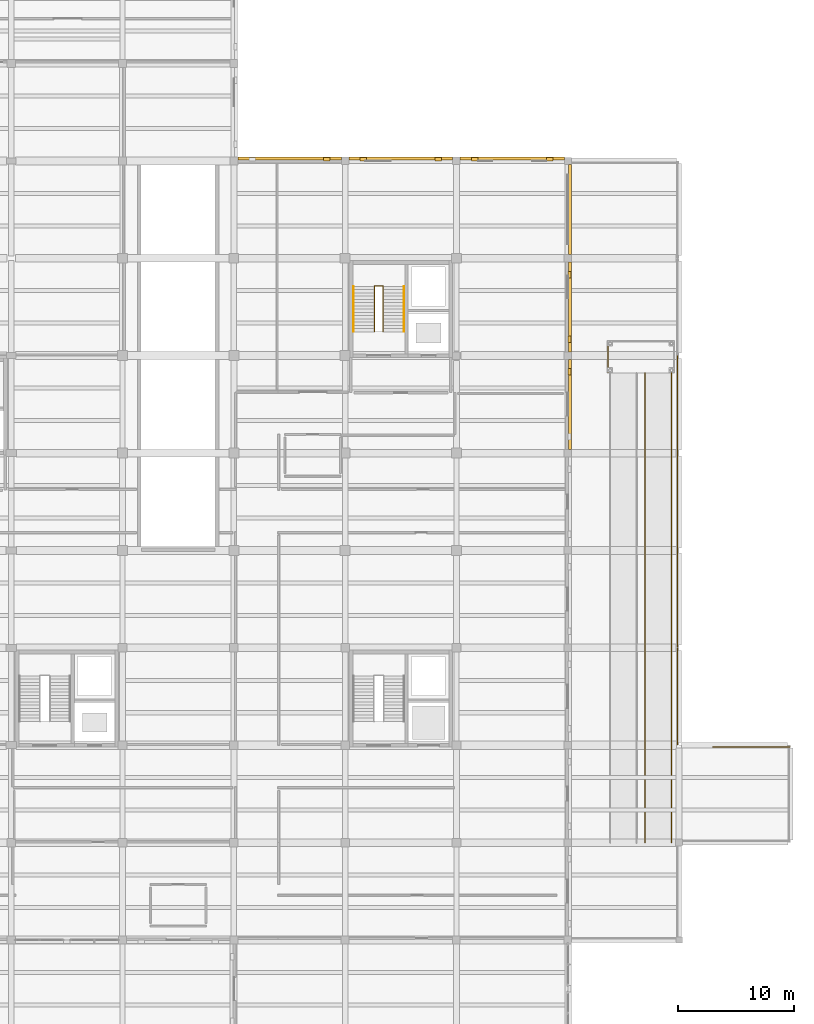
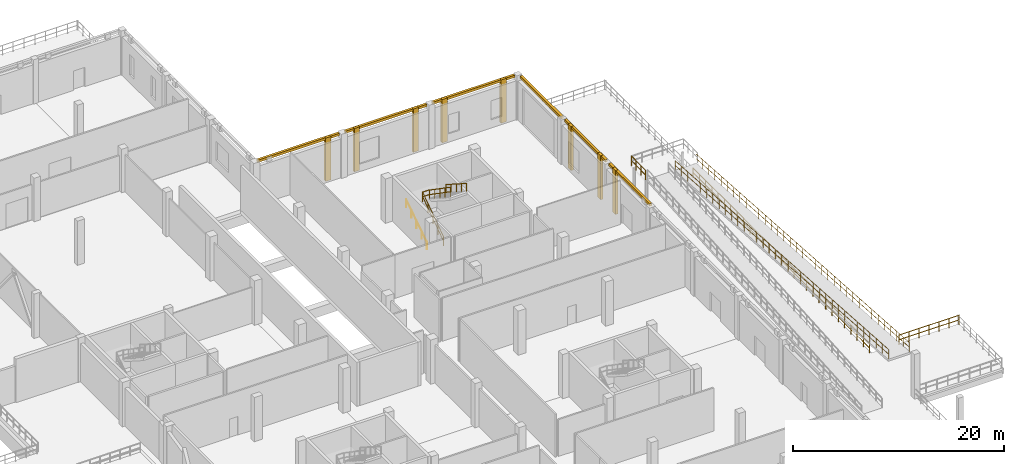
# One storey, part 69 of 71: 14 coverings, 13 railings.
"""IFC4 building model written with IfcOpenShell, lengths in metres."""

import ifcopenshell
import ifcopenshell.guid

model = None  # the IFC model being written
_history = None  # IfcOwnerHistory: only IFC2X3 demands one
_inside = {}  # id of a spatial element -> (the spatial element, [elements in it])
_under = {}  # id of a project, library or spatial element -> (it, [spatial elements below it])
_declared = {}  # id of a project -> (the project, [libraries it declares])
_typed = {}  # id of a type object -> (the type object, [elements of that type])
_made_of = {}  # id of a material, layer set ... -> (it, [elements and type objects made of it])


def new_model(schema):
    """Start an empty IFC model of exactly this schema.

    Asked for "IFC4X3", IfcOpenShell would pick the latest addendum, in which some entities
    have other attributes; the version numbers below select the first issue.
    IFC2X3 requires an IfcOwnerHistory on every rooted entity: one is made here for all.
    """
    global model, _history
    if schema == "IFC4X3":
        model = ifcopenshell.file(schema_version=(4, 3, 0, 0))
    else:
        model = ifcopenshell.file(schema=schema)
    _inside.clear()
    _under.clear()
    _declared.clear()
    _typed.clear()
    _made_of.clear()
    _history = None
    if model.schema == "IFC2X3":
        org = make("IfcOrganization", Name="unknown")
        user = make(
            "IfcPersonAndOrganization",
            ThePerson=make("IfcPerson", FamilyName="unknown"),
            TheOrganization=org,
        )
        app = make(
            "IfcApplication",
            ApplicationDeveloper=org,
            Version="unknown",
            ApplicationFullName="unknown",
            ApplicationIdentifier="unknown",
        )
        _history = make(
            "IfcOwnerHistory",
            OwningUser=user,
            OwningApplication=app,
            ChangeAction="ADDED",
            CreationDate=0,
        )
    return model


def make(cls, **values):
    """One entity of the class cls with the attributes given. An attribute that is None is left unset."""
    return model.create_entity(
        cls, **{name: value for name, value in values.items() if value is not None}
    )


def rooted(cls, **values):
    """An entity with a GlobalId (a new one), such as an element, a storey or a relation."""
    return make(cls, GlobalId=ifcopenshell.guid.new(), OwnerHistory=_history, **values)


def si_unit(unit_type, name, prefix=None):
    """IfcSIUnit, for example si_unit("LENGTHUNIT", "METRE", prefix="MILLI")."""
    return make("IfcSIUnit", UnitType=unit_type, Prefix=prefix, Name=name)


def assignment(units):
    """IfcUnitAssignment: the units of a project."""
    return None if units is None else make("IfcUnitAssignment", Units=units)


def point(xyz):
    """IfcCartesianPoint."""
    return None if xyz is None else make("IfcCartesianPoint", Coordinates=xyz)


def direction(xyz):
    """IfcDirection."""
    return None if xyz is None else make("IfcDirection", DirectionRatios=xyz)


def frame(location, z_axis=None, x_axis=None):
    """IfcAxis2Placement3D, a coordinate frame: its origin and axes. An axis left out is left unset."""
    return make(
        "IfcAxis2Placement3D",
        Location=point(location),
        Axis=direction(z_axis),
        RefDirection=direction(x_axis),
    )


def frame_2d(location, x_axis=None):
    """IfcAxis2Placement2D, a coordinate frame in the plane: its origin and x axis."""
    return make(
        "IfcAxis2Placement2D", Location=point(location), RefDirection=direction(x_axis)
    )


def origin():
    """The frame at (0, 0, 0) with its axes left unset."""
    return frame((0.0, 0.0, 0.0))


def origin_2d():
    """The frame at (0, 0) in the plane with its x axis left unset."""
    return frame_2d((0.0, 0.0))


def place(relative_to, where):
    """IfcLocalPlacement: puts the frame where relative to a parent placement (None: the world)."""
    return make(
        "IfcLocalPlacement", PlacementRelTo=relative_to, RelativePlacement=where
    )


def context(
    kind, dimensions, precision=None, world=None, true_north=None, identifier=None
):
    """IfcGeometricRepresentationContext, for example the 3D "Model" context."""
    return make(
        "IfcGeometricRepresentationContext",
        ContextIdentifier=identifier,
        ContextType=kind,
        CoordinateSpaceDimension=dimensions,
        Precision=precision,
        WorldCoordinateSystem=world,
        TrueNorth=true_north,
    )


def subcontext(parent, identifier, kind, view, scale=None):
    """IfcGeometricRepresentationSubContext, for example "Body" below "Model"."""
    return make(
        "IfcGeometricRepresentationSubContext",
        ContextIdentifier=identifier,
        ContextType=kind,
        ParentContext=parent,
        TargetScale=scale,
        TargetView=view,
    )


def project(units=None, contexts=None):
    """IfcProject with its units and contexts."""
    return rooted(
        "IfcProject",
        Name="project",
        RepresentationContexts=contexts,
        UnitsInContext=assignment(units),
    )


def spatial(cls, under=None, at=None, **own):
    """A site, building, storey or space (cls), placed at a placement, below another one or the project."""
    s = rooted(cls, ObjectPlacement=at, **own)
    if under is not None:
        _under.setdefault(under.id(), (under, []))[1].append(s)
    return s


def polyline(points):
    """IfcPolyline through the points."""
    return make("IfcPolyline", Points=[point(p) for p in points])


def profile(cls, at=None, kind="AREA", **sizes):
    """A parametric profile (cls). Its sizes go by their IFC names, for example OverallWidth=200.0."""
    return make(cls, ProfileType=kind, Position=at, **sizes)


def circle(**sizes):
    """IfcCircleProfileDef."""
    return profile("IfcCircleProfileDef", **sizes)


def outline(outer, holes=None, kind="AREA"):
    """IfcArbitraryClosedProfileDef: a profile drawn as a closed curve; with holes, ...WithVoids."""
    if holes is None:
        return make("IfcArbitraryClosedProfileDef", ProfileType=kind, OuterCurve=outer)
    return make(
        "IfcArbitraryProfileDefWithVoids",
        ProfileType=kind,
        OuterCurve=outer,
        InnerCurves=holes,
    )


def extrude(swept, where, along, depth):
    """IfcExtrudedAreaSolid: the profile swept, set in the frame where, extruded along a direction by depth."""
    return make(
        "IfcExtrudedAreaSolid",
        SweptArea=swept,
        Position=where,
        ExtrudedDirection=direction(along),
        Depth=depth,
    )


def shape(context_of_items, identifier, shape_type, items):
    """IfcShapeRepresentation: the items that make up one representation, for example the "Body"."""
    return make(
        "IfcShapeRepresentation",
        ContextOfItems=context_of_items,
        RepresentationIdentifier=identifier,
        RepresentationType=shape_type,
        Items=items,
    )


def material(Name=None, Category=None):
    """IfcMaterial."""
    return make("IfcMaterial", Name=Name, Category=Category)


def layer(
    of_material, thickness, ventilated=None, Name=None, Category=None, Priority=None
):
    """IfcMaterialLayer: one layer of a wall or slab, of a material (None: an air gap)."""
    return make(
        "IfcMaterialLayer",
        Material=of_material,
        LayerThickness=thickness,
        IsVentilated=ventilated,
        Name=Name,
        Category=Category,
        Priority=Priority,
    )


def layer_set(layers, Name=None):
    """IfcMaterialLayerSet."""
    return make("IfcMaterialLayerSet", MaterialLayers=layers, LayerSetName=Name)


def made_of(thing, what):
    """Note that an element or type object is made of a material, layer set ...; save() writes the relation."""
    if what is not None:
        _made_of.setdefault(what.id(), (what, []))[1].append(thing)
    return thing


def type_object(cls, material=None, **own):
    """A type object (cls), such as IfcWallType, which elements share."""
    return made_of(rooted(cls, **own), material)


def element(
    cls,
    number,
    at=None,
    inside=None,
    cuts=None,
    type_object=None,
    material=None,
    context=None,
    identifier="Body",
    shape_type=None,
    held_by="IfcProductDefinitionShape",
    body=None,
    shapes=None,
    **own,
):
    """One element of the class cls, such as IfcWall. Its Tag is "e" and its number.

    at: its placement. inside: the storey or other place that contains it. cuts: it is an
    opening in that element (IfcRelVoidsElement). A single representation is given by context,
    identifier, shape_type and body (its items); several are given by shapes. held_by: the class
    of the entity that holds the representations. save() writes the other relations.
    """
    e = rooted(cls, Tag="e%d" % number, ObjectPlacement=at, **own)
    if body is not None:
        shapes = [shape(context, identifier, shape_type, body)]
    if shapes is not None:
        e.Representation = make(held_by, Representations=shapes)
    if inside is not None:
        _inside.setdefault(inside.id(), (inside, []))[1].append(e)
    if cuts is not None:
        rooted(
            "IfcRelVoidsElement", RelatingBuildingElement=cuts, RelatedOpeningElement=e
        )
    if type_object is not None:
        _typed.setdefault(type_object.id(), (type_object, []))[1].append(e)
    return made_of(e, material)


def aggregate(whole, parts):
    """IfcRelAggregates: a whole, such as a stair, and the parts it consists of."""
    return rooted("IfcRelAggregates", RelatingObject=whole, RelatedObjects=parts)


def save(model, path):
    """Write the relations noted so far, then the file.

    IfcRelAggregates (storeys below a building ...), IfcRelContainedInSpatialStructure (elements
    in a storey), IfcRelDefinesByType, IfcRelAssociatesMaterial and IfcRelDeclares: one each for
    every whole, place, type object, material and project.
    """
    for whole, parts in _under.values():
        aggregate(whole, parts)
    for where, things in _inside.values():
        rooted(
            "IfcRelContainedInSpatialStructure",
            RelatedElements=things,
            RelatingStructure=where,
        )
    for kind, things in _typed.values():
        rooted("IfcRelDefinesByType", RelatedObjects=things, RelatingType=kind)
    for what, things in _made_of.values():
        rooted("IfcRelAssociatesMaterial", RelatedObjects=things, RelatingMaterial=what)
    for by, libraries in _declared.values():
        rooted("IfcRelDeclares", RelatingContext=by, RelatedDefinitions=libraries)
    model.write(path)


model = new_model("IFC4")

# Units and contexts
model_context = context("Model", 3, precision=1e-05, world=origin(), true_north=direction((0.0, 1.0)))
body_context = subcontext(model_context, "Body", "Model", "MODEL_VIEW")
ifc_project = project(units=[si_unit("LENGTHUNIT", "METRE"), si_unit("AREAUNIT", "SQUARE_METRE"), si_unit("VOLUMEUNIT", "CUBIC_METRE"), si_unit("PLANEANGLEUNIT", "RADIAN"), si_unit("MASSUNIT", "GRAM", prefix="KILO")], contexts=[model_context])

# Site, building, storey
site_placement = place(None, origin())
site = spatial("IfcSite", under=ifc_project, at=site_placement, CompositionType="ELEMENT")
building_placement = place(site_placement, origin())
building = spatial("IfcBuilding", under=site, at=building_placement, Name="Lornevale Opera House", CompositionType="ELEMENT")
storey_placement = place(building_placement, origin())
storey = spatial("IfcBuildingStorey", under=building, at=storey_placement, Name="L01", CompositionType="ELEMENT", Elevation=0.0)

# Coverings
ifc_material_1 = material(Name="Precast Concrete 40 MPa (CSA A23.1 C-1)", Category="concrete")
ifc_layer_1 = layer(ifc_material_1, 0.260009765625)
ifc_layer_set_1 = layer_set([ifc_layer_1], Name="Precast Concrete 40 MPa (CSA A23.1 C-1)")
covering_type_1 = type_object("IfcCoveringType", Name="Postmodern Sandstone Pilaster Rib", PredefinedType="CLADDING", material=ifc_layer_set_1)
covering_1_placement = place(storey_placement, origin())
element("IfcCovering", 1, at=covering_1_placement, inside=storey, type_object=covering_type_1, Name="Postmodern Sandstone Pilaster 0147", PredefinedType="CLADDING", context=body_context, shape_type="SweptSolid", body=[
    extrude(outline(polyline([(132.5458984375, 84.0), (133.10595703125, 84.0), (133.10595703125, 84.280029296875), (132.5458984375, 84.280029296875), (132.5458984375, 84.0)])), origin(), (0.0, 0.0, 1.0), 5.02001953125),
])
covering_2_placement = place(storey_placement, origin())
element("IfcCovering", 2, at=covering_2_placement, inside=storey, type_object=covering_type_1, Name="Postmodern Sandstone Pilaster 0152", PredefinedType="CLADDING", context=body_context, shape_type="SweptSolid", body=[
    extrude(outline(polyline([(135.697998046875, 84.0), (136.258056640625, 84.0), (136.258056640625, 84.280029296875), (135.697998046875, 84.280029296875), (135.697998046875, 84.0)])), origin(), (0.0, 0.0, 1.0), 5.02001953125),
])
covering_3_placement = place(storey_placement, origin())
element("IfcCovering", 3, at=covering_3_placement, inside=storey, type_object=covering_type_1, Name="Postmodern Sandstone Pilaster 0153", PredefinedType="CLADDING", context=body_context, shape_type="SweptSolid", body=[
    extrude(outline(polyline([(142.14208984375, 84.0), (142.701904296875, 84.0), (142.701904296875, 84.280029296875), (142.14208984375, 84.280029296875), (142.14208984375, 84.0)])), origin(), (0.0, 0.0, 1.0), 5.02001953125),
])
covering_4_placement = place(storey_placement, origin())
element("IfcCovering", 4, at=covering_4_placement, inside=storey, type_object=covering_type_1, Name="Postmodern Sandstone Pilaster 0175", PredefinedType="CLADDING", context=body_context, shape_type="SweptSolid", body=[
    extrude(outline(polyline([(153.60009765625, 66.070068359375), (153.60009765625, 65.510009765625), (153.8798828125, 65.510009765625), (153.8798828125, 66.070068359375), (153.60009765625, 66.070068359375)])), origin(), (0.0, 0.0, 1.0), 5.10009765625),
])
covering_5_placement = place(storey_placement, origin())
element("IfcCovering", 5, at=covering_5_placement, inside=storey, type_object=covering_type_1, Name="Postmodern Sandstone Pilaster 0178", PredefinedType="CLADDING", context=body_context, shape_type="SweptSolid", body=[
    extrude(outline(polyline([(153.60009765625, 74.469970703125), (153.60009765625, 73.909912109375), (153.8798828125, 73.909912109375), (153.8798828125, 74.469970703125), (153.60009765625, 74.469970703125)])), origin(), (0.0, 0.0, 1.0), 5.10009765625),
])
covering_6_placement = place(storey_placement, origin())
element("IfcCovering", 6, at=covering_6_placement, inside=storey, type_object=covering_type_1, Name="Postmodern Sandstone Pilaster 0179", PredefinedType="CLADDING", context=body_context, shape_type="SweptSolid", body=[
    extrude(outline(polyline([(153.60009765625, 68.889892578125), (153.60009765625, 68.330078125), (153.8798828125, 68.330078125), (153.8798828125, 68.889892578125), (153.60009765625, 68.889892578125)])), origin(), (0.0, 0.0, 1.0), 5.10009765625),
])
covering_7_placement = place(storey_placement, origin())
element("IfcCovering", 7, at=covering_7_placement, inside=storey, type_object=covering_type_1, Name="Postmodern Sandstone Pilaster 0181", PredefinedType="CLADDING", context=body_context, shape_type="SweptSolid", body=[
    extrude(outline(polyline([(145.301025390625, 84.0), (145.861083984375, 84.0), (145.861083984375, 84.280029296875), (145.301025390625, 84.280029296875), (145.301025390625, 84.0)])), origin(), (0.0, 0.0, 1.0), 5.02001953125),
])
covering_8_placement = place(storey_placement, origin())
element("IfcCovering", 8, at=covering_8_placement, inside=storey, type_object=covering_type_1, Name="Postmodern Sandstone Pilaster 0182", PredefinedType="CLADDING", context=body_context, shape_type="SweptSolid", body=[
    extrude(outline(polyline([(151.762939453125, 84.0), (152.322998046875, 84.0), (152.322998046875, 84.280029296875), (151.762939453125, 84.280029296875), (151.762939453125, 84.0)])), origin(), (0.0, 0.0, 1.0), 5.02001953125),
])
ifc_material_2 = material(Name="Queenston Buff Limestone Ashlar Masonry (25 MPa)", Category="masonry")
ifc_layer_2 = layer(ifc_material_2, 0.1201171875)
ifc_layer_set_2 = layer_set([ifc_layer_2], Name="Queenston Buff Limestone Ashlar Masonry (25 MPa)")
covering_type_2 = type_object("IfcCoveringType", Name="Precast Limestone Cornice Band", PredefinedType="CLADDING", material=ifc_layer_set_2)
covering_9_placement = place(storey_placement, frame((0.0, 0.0, 4.739990234375)))
element("IfcCovering", 9, at=covering_9_placement, inside=storey, type_object=covering_type_2, Name="Precast Limestone Cornice Band 0148", PredefinedType="CLADDING", context=body_context, shape_type="SweptSolid", body=[
    extrude(outline(polyline([(125.14990234375, 84.06005859375), (134.074951171875, 84.06005859375), (134.074951171875, 84.320068359375), (125.14990234375, 84.320068359375), (125.14990234375, 84.06005859375)])), origin(), (0.0, 0.0, 1.0), 0.280029296875),
])
covering_10_placement = place(storey_placement, frame((0.0, 0.0, 4.739990234375)))
element("IfcCovering", 10, at=covering_10_placement, inside=storey, type_object=covering_type_2, Name="Precast Limestone Cornice Band 0154", PredefinedType="CLADDING", context=body_context, shape_type="SweptSolid", body=[
    extrude(outline(polyline([(134.72509765625, 84.06005859375), (143.675048828125, 84.06005859375), (143.675048828125, 84.320068359375), (134.72509765625, 84.320068359375), (134.72509765625, 84.06005859375)])), origin(), (0.0, 0.0, 1.0), 0.280029296875),
])
covering_11_placement = place(storey_placement, frame((0.0, 0.0, 4.820068359375)))
element("IfcCovering", 11, at=covering_11_placement, inside=storey, type_object=covering_type_2, Name="Precast Limestone Cornice Band 0177", PredefinedType="CLADDING", context=body_context, shape_type="SweptSolid", body=[
    extrude(outline(polyline([(153.659912109375, 66.875), (153.659912109375, 59.125), (153.919921875, 59.125), (153.919921875, 66.875), (153.659912109375, 66.875)])), origin(), (0.0, 0.0, 1.0), 0.280029296875),
])
covering_12_placement = place(storey_placement, frame((0.0, 0.0, 4.820068359375)))
element("IfcCovering", 12, at=covering_12_placement, inside=storey, type_object=covering_type_2, Name="Precast Limestone Cornice Band 0180", PredefinedType="CLADDING", context=body_context, shape_type="SweptSolid", body=[
    extrude(outline(polyline([(153.659912109375, 75.27490234375), (153.659912109375, 67.52490234375), (153.919921875, 67.52490234375), (153.919921875, 75.27490234375), (153.659912109375, 75.27490234375)])), origin(), (0.0, 0.0, 1.0), 0.280029296875),
])
covering_13_placement = place(storey_placement, frame((0.0, 0.0, 4.739990234375)))
element("IfcCovering", 13, at=covering_13_placement, inside=storey, type_object=covering_type_2, Name="Precast Limestone Cornice Band 0183", PredefinedType="CLADDING", context=body_context, shape_type="SweptSolid", body=[
    extrude(outline(polyline([(144.324951171875, 84.06005859375), (153.300048828125, 84.06005859375), (153.300048828125, 84.320068359375), (144.324951171875, 84.320068359375), (144.324951171875, 84.06005859375)])), origin(), (0.0, 0.0, 1.0), 0.280029296875),
])
covering_14_placement = place(storey_placement, frame((0.0, 0.0, 4.739990234375)))
element("IfcCovering", 14, at=covering_14_placement, inside=storey, type_object=covering_type_2, Name="Precast Limestone Cornice Band 0184", PredefinedType="CLADDING", context=body_context, shape_type="SweptSolid", body=[
    extrude(outline(polyline([(153.659912109375, 83.699951171875), (153.659912109375, 75.925048828125), (153.919921875, 75.925048828125), (153.919921875, 83.699951171875), (153.659912109375, 83.699951171875)])), origin(), (0.0, 0.0, 1.0), 0.280029296875),
])

# Railings
ifc_material_3 = material(Name="Structural Steel CSA G40.21 Grade 350W (350 MPa)", Category="steel")
ifc_layer_3 = layer(ifc_material_3, 0.050048828125)
ifc_layer_set_3 = layer_set([ifc_layer_3], Name="Structural Steel CSA G40.21 Grade 350W (350 MPa)")
railing_type_1 = type_object("IfcRailingType", Name="Stair Well Guardrail 1100", PredefinedType="GUARDRAIL", material=ifc_layer_set_3)
railing_1_placement = place(storey_placement, frame((136.919921875, 69.260009765625, 0.0)))
element("IfcRailing", 15, at=railing_1_placement, inside=storey, type_object=railing_type_1, Name="ST-30 Inner Well Guard F1", PredefinedType="GUARDRAIL", context=body_context, shape_type="SweptSolid", body=[
    extrude(circle(Radius=0.02392578125, at=origin_2d()), frame((0.0, 0.0, 1.076171875), z_axis=(0.0, 0.823550731654, 0.567242622158), x_axis=(-1.0, 0.0, 0.0)), (0.0, 0.0, 1.0), 4.759765625),
    extrude(circle(Radius=0.02392578125, at=origin_2d()), frame((0.0, 0.0, 0.550048828125), z_axis=(0.0, 0.823550731654, 0.567242622158), x_axis=(-1.0, 0.0, 0.0)), (0.0, 0.0, 1.0), 4.759765625),
    extrude(circle(Radius=0.02099609375, at=origin_2d()), origin(), (0.0, 0.0, 1.0), 1.052001953125),
    extrude(circle(Radius=0.02099609375, at=origin_2d()), frame((0.0, 0.97998046875, 0.675048828125)), (0.0, 0.0, 1.0), 1.052001953125),
    extrude(circle(Radius=0.02099609375, at=origin_2d()), frame((0.0, 1.9599609375, 1.35009765625)), (0.0, 0.0, 1.0), 1.052001953125),
    extrude(circle(Radius=0.02099609375, at=origin_2d()), frame((0.0, 2.93994140625, 2.02490234375)), (0.0, 0.0, 1.0), 1.052001953125),
    extrude(circle(Radius=0.02099609375, at=origin_2d()), frame((0.0, 3.919921875, 2.699951171875)), (0.0, 0.0, 1.0), 1.052001953125),
])
railing_2_placement = place(storey_placement, frame((137.679931640625, 73.179931640625, 2.699951171875)))
element("IfcRailing", 16, at=railing_2_placement, inside=storey, type_object=railing_type_1, Name="ST-30 Inner Well Guard F2", PredefinedType="GUARDRAIL", context=body_context, shape_type="SweptSolid", body=[
    extrude(circle(Radius=0.02392578125, at=origin_2d()), frame((0.0, 0.0, 1.076171875), z_axis=(0.0, -0.823550731654, 0.567242622158), x_axis=(1.0, 0.0, 0.0)), (0.0, 0.0, 1.0), 4.759765625),
    extrude(circle(Radius=0.02392578125, at=origin_2d()), frame((0.0, 0.0, 0.550048828125), z_axis=(0.0, -0.823550731654, 0.567242622158), x_axis=(1.0, 0.0, 0.0)), (0.0, 0.0, 1.0), 4.759765625),
    extrude(circle(Radius=0.02099609375, at=origin_2d()), origin(), (0.0, 0.0, 1.0), 1.052001953125),
    extrude(circle(Radius=0.02099609375, at=origin_2d()), frame((0.0, -0.97998046875, 0.675048828125)), (0.0, 0.0, 1.0), 1.052001953125),
    extrude(circle(Radius=0.02099609375, at=origin_2d()), frame((0.0, -1.9599609375, 1.35009765625)), (0.0, 0.0, 1.0), 1.052001953125),
    extrude(circle(Radius=0.02099609375, at=origin_2d()), frame((0.0, -2.93994140625, 2.02490234375)), (0.0, 0.0, 1.0), 1.052001953125),
    extrude(circle(Radius=0.02099609375, at=origin_2d()), frame((0.0, -3.919921875, 2.699951171875)), (0.0, 0.0, 1.0), 1.052001953125),
])
railing_3_placement = place(storey_placement, frame((136.919921875, 73.2099609375, 2.699951171875)))
element("IfcRailing", 17, at=railing_3_placement, inside=storey, type_object=railing_type_1, Name="ST-30 Half-Landing Slot Guard", PredefinedType="GUARDRAIL", context=body_context, shape_type="SweptSolid", body=[
    extrude(circle(Radius=0.02392578125, at=origin_2d()), frame((0.0, 0.0, 1.076171875), z_axis=(1.0, 0.0, 0.0), x_axis=(0.0, 1.0, 0.0)), (0.0, 0.0, 1.0), 0.760009765625),
    extrude(circle(Radius=0.02392578125, at=origin_2d()), frame((0.0, 0.0, 0.550048828125), z_axis=(1.0, 0.0, 0.0), x_axis=(0.0, 1.0, 0.0)), (0.0, 0.0, 1.0), 0.760009765625),
    extrude(circle(Radius=0.02099609375, at=origin_2d()), origin(), (0.0, 0.0, 1.0), 1.052001953125),
    extrude(circle(Radius=0.02099609375, at=origin_2d()), frame((0.760009765625, 0.0, 0.0)), (0.0, 0.0, 1.0), 1.052001953125),
])
ifc_layer_4 = layer(ifc_material_3, 0.06005859375)
ifc_layer_set_4 = layer_set([ifc_layer_4], Name="Structural Steel CSA G40.21 Grade 350W (350 MPa)")
railing_type_2 = type_object("IfcRailingType", Name="Terrace Tubular Guardrail 1120", PredefinedType="GUARDRAIL", material=ifc_layer_set_4)
railing_4_placement = place(storey_placement, frame((160.260009765625, 65.699951171875, 2.699951171875)))
element("IfcRailing", 18, at=railing_4_placement, inside=storey, type_object=railing_type_2, Name="RPF-06 Ramp Guardrail 0235", PredefinedType="GUARDRAIL", context=body_context, shape_type="SweptSolid", body=[
    extrude(circle(Radius=0.02392578125, at=origin_2d()), frame((0.0, 0.0, 1.09619140625), z_axis=(0.0, -0.997785237699, 0.066517812884), x_axis=(1.0, 0.0, 0.0)), (0.0, 0.0, 1.0), 40.58984375),
    extrude(circle(Radius=0.02392578125, at=origin_2d()), frame((0.0, 0.0, 0.56005859375), z_axis=(0.0, -0.997785237699, 0.066517812884), x_axis=(1.0, 0.0, 0.0)), (0.0, 0.0, 1.0), 40.58984375),
    extrude(circle(Radius=0.02099609375, at=origin_2d()), origin(), (0.0, 0.0, 1.0), 1.072021484375),
    extrude(circle(Radius=0.02099609375, at=origin_2d()), frame((0.0, -1.191162109375, 0.079345703125)), (0.0, 0.0, 1.0), 1.072021484375),
    extrude(circle(Radius=0.02099609375, at=origin_2d()), frame((0.0, -2.38232421875, 0.158935546875)), (0.0, 0.0, 1.0), 1.072021484375),
    extrude(circle(Radius=0.02099609375, at=origin_2d()), frame((0.0, -3.573486328125, 0.23828125)), (0.0, 0.0, 1.0), 1.072021484375),
    extrude(circle(Radius=0.02099609375, at=origin_2d()), frame((0.0, -4.7646484375, 0.317626953125)), (0.0, 0.0, 1.0), 1.072021484375),
    extrude(circle(Radius=0.02099609375, at=origin_2d()), frame((0.0, -5.955810546875, 0.39697265625)), (0.0, 0.0, 1.0), 1.072021484375),
    extrude(circle(Radius=0.02099609375, at=origin_2d()), frame((0.0, -7.14697265625, 0.4765625)), (0.0, 0.0, 1.0), 1.072021484375),
    extrude(circle(Radius=0.02099609375, at=origin_2d()), frame((0.0, -8.338134765625, 0.555908203125)), (0.0, 0.0, 1.0), 1.072021484375),
    extrude(circle(Radius=0.02099609375, at=origin_2d()), frame((0.0, -9.529296875, 0.63525390625)), (0.0, 0.0, 1.0), 1.072021484375),
    extrude(circle(Radius=0.02099609375, at=origin_2d()), frame((0.0, -10.720703125, 0.714599609375)), (0.0, 0.0, 1.0), 1.072021484375),
    extrude(circle(Radius=0.02099609375, at=origin_2d()), frame((0.0, -11.911865234375, 0.794189453125)), (0.0, 0.0, 1.0), 1.072021484375),
    extrude(circle(Radius=0.02099609375, at=origin_2d()), frame((0.0, -13.10302734375, 0.87353515625)), (0.0, 0.0, 1.0), 1.072021484375),
    extrude(circle(Radius=0.02099609375, at=origin_2d()), frame((0.0, -14.294189453125, 0.952880859375)), (0.0, 0.0, 1.0), 1.072021484375),
    extrude(circle(Radius=0.02099609375, at=origin_2d()), frame((0.0, -15.4853515625, 1.0322265625)), (0.0, 0.0, 1.0), 1.072021484375),
    extrude(circle(Radius=0.02099609375, at=origin_2d()), frame((0.0, -16.676513671875, 1.11181640625)), (0.0, 0.0, 1.0), 1.072021484375),
    extrude(circle(Radius=0.02099609375, at=origin_2d()), frame((0.0, -17.86767578125, 1.191162109375)), (0.0, 0.0, 1.0), 1.072021484375),
    extrude(circle(Radius=0.02099609375, at=origin_2d()), frame((0.0, -19.058837890625, 1.2705078125)), (0.0, 0.0, 1.0), 1.072021484375),
    extrude(circle(Radius=0.02099609375, at=origin_2d()), frame((0.0, -20.25, 1.35009765625)), (0.0, 0.0, 1.0), 1.072021484375),
    extrude(circle(Radius=0.02099609375, at=origin_2d()), frame((0.0, -21.441162109375, 1.429443359375)), (0.0, 0.0, 1.0), 1.072021484375),
    extrude(circle(Radius=0.02099609375, at=origin_2d()), frame((0.0, -22.63232421875, 1.5087890625)), (0.0, 0.0, 1.0), 1.072021484375),
    extrude(circle(Radius=0.02099609375, at=origin_2d()), frame((0.0, -23.823486328125, 1.588134765625)), (0.0, 0.0, 1.0), 1.072021484375),
    extrude(circle(Radius=0.02099609375, at=origin_2d()), frame((0.0, -25.0146484375, 1.667724609375)), (0.0, 0.0, 1.0), 1.072021484375),
    extrude(circle(Radius=0.02099609375, at=origin_2d()), frame((0.0, -26.205810546875, 1.7470703125)), (0.0, 0.0, 1.0), 1.072021484375),
    extrude(circle(Radius=0.02099609375, at=origin_2d()), frame((0.0, -27.39697265625, 1.826416015625)), (0.0, 0.0, 1.0), 1.072021484375),
    extrude(circle(Radius=0.02099609375, at=origin_2d()), frame((0.0, -28.588134765625, 1.90576171875)), (0.0, 0.0, 1.0), 1.072021484375),
    extrude(circle(Radius=0.02099609375, at=origin_2d()), frame((0.0, -29.779296875, 1.9853515625)), (0.0, 0.0, 1.0), 1.072021484375),
    extrude(circle(Radius=0.02099609375, at=origin_2d()), frame((0.0, -30.970703125, 2.064697265625)), (0.0, 0.0, 1.0), 1.072021484375),
    extrude(circle(Radius=0.02099609375, at=origin_2d()), frame((0.0, -32.161865234375, 2.14404296875)), (0.0, 0.0, 1.0), 1.072021484375),
    extrude(circle(Radius=0.02099609375, at=origin_2d()), frame((0.0, -33.35302734375, 2.223388671875)), (0.0, 0.0, 1.0), 1.072021484375),
    extrude(circle(Radius=0.02099609375, at=origin_2d()), frame((0.0, -34.544189453125, 2.302978515625)), (0.0, 0.0, 1.0), 1.072021484375),
    extrude(circle(Radius=0.02099609375, at=origin_2d()), frame((0.0, -35.7353515625, 2.38232421875)), (0.0, 0.0, 1.0), 1.072021484375),
    extrude(circle(Radius=0.02099609375, at=origin_2d()), frame((0.0, -36.926513671875, 2.461669921875)), (0.0, 0.0, 1.0), 1.072021484375),
    extrude(circle(Radius=0.02099609375, at=origin_2d()), frame((0.0, -38.11767578125, 2.541015625)), (0.0, 0.0, 1.0), 1.072021484375),
    extrude(circle(Radius=0.02099609375, at=origin_2d()), frame((0.0, -39.308837890625, 2.62060546875)), (0.0, 0.0, 1.0), 1.072021484375),
    extrude(circle(Radius=0.02099609375, at=origin_2d()), frame((0.0, -40.5, 2.699951171875)), (0.0, 0.0, 1.0), 1.072021484375),
])
railing_5_placement = place(storey_placement, frame((162.5400390625, 65.699951171875, 2.699951171875)))
element("IfcRailing", 19, at=railing_5_placement, inside=storey, type_object=railing_type_2, Name="RPF-06 Ramp Guardrail 0236", PredefinedType="GUARDRAIL", context=body_context, shape_type="SweptSolid", body=[
    extrude(circle(Radius=0.02392578125, at=origin_2d()), frame((0.0, 0.0, 1.09619140625), z_axis=(0.0, -0.997785237699, 0.066517812884), x_axis=(1.0, 0.0, 0.0)), (0.0, 0.0, 1.0), 40.58984375),
    extrude(circle(Radius=0.02392578125, at=origin_2d()), frame((0.0, 0.0, 0.56005859375), z_axis=(0.0, -0.997785237699, 0.066517812884), x_axis=(1.0, 0.0, 0.0)), (0.0, 0.0, 1.0), 40.58984375),
    extrude(circle(Radius=0.02099609375, at=origin_2d()), origin(), (0.0, 0.0, 1.0), 1.072021484375),
    extrude(circle(Radius=0.02099609375, at=origin_2d()), frame((0.0, -1.191162109375, 0.079345703125)), (0.0, 0.0, 1.0), 1.072021484375),
    extrude(circle(Radius=0.02099609375, at=origin_2d()), frame((0.0, -2.38232421875, 0.158935546875)), (0.0, 0.0, 1.0), 1.072021484375),
    extrude(circle(Radius=0.02099609375, at=origin_2d()), frame((0.0, -3.573486328125, 0.23828125)), (0.0, 0.0, 1.0), 1.072021484375),
    extrude(circle(Radius=0.02099609375, at=origin_2d()), frame((0.0, -4.7646484375, 0.317626953125)), (0.0, 0.0, 1.0), 1.072021484375),
    extrude(circle(Radius=0.02099609375, at=origin_2d()), frame((0.0, -5.955810546875, 0.39697265625)), (0.0, 0.0, 1.0), 1.072021484375),
    extrude(circle(Radius=0.02099609375, at=origin_2d()), frame((0.0, -7.14697265625, 0.4765625)), (0.0, 0.0, 1.0), 1.072021484375),
    extrude(circle(Radius=0.02099609375, at=origin_2d()), frame((0.0, -8.338134765625, 0.555908203125)), (0.0, 0.0, 1.0), 1.072021484375),
    extrude(circle(Radius=0.02099609375, at=origin_2d()), frame((0.0, -9.529296875, 0.63525390625)), (0.0, 0.0, 1.0), 1.072021484375),
    extrude(circle(Radius=0.02099609375, at=origin_2d()), frame((0.0, -10.720703125, 0.714599609375)), (0.0, 0.0, 1.0), 1.072021484375),
    extrude(circle(Radius=0.02099609375, at=origin_2d()), frame((0.0, -11.911865234375, 0.794189453125)), (0.0, 0.0, 1.0), 1.072021484375),
    extrude(circle(Radius=0.02099609375, at=origin_2d()), frame((0.0, -13.10302734375, 0.87353515625)), (0.0, 0.0, 1.0), 1.072021484375),
    extrude(circle(Radius=0.02099609375, at=origin_2d()), frame((0.0, -14.294189453125, 0.952880859375)), (0.0, 0.0, 1.0), 1.072021484375),
    extrude(circle(Radius=0.02099609375, at=origin_2d()), frame((0.0, -15.4853515625, 1.0322265625)), (0.0, 0.0, 1.0), 1.072021484375),
    extrude(circle(Radius=0.02099609375, at=origin_2d()), frame((0.0, -16.676513671875, 1.11181640625)), (0.0, 0.0, 1.0), 1.072021484375),
    extrude(circle(Radius=0.02099609375, at=origin_2d()), frame((0.0, -17.86767578125, 1.191162109375)), (0.0, 0.0, 1.0), 1.072021484375),
    extrude(circle(Radius=0.02099609375, at=origin_2d()), frame((0.0, -19.058837890625, 1.2705078125)), (0.0, 0.0, 1.0), 1.072021484375),
    extrude(circle(Radius=0.02099609375, at=origin_2d()), frame((0.0, -20.25, 1.35009765625)), (0.0, 0.0, 1.0), 1.072021484375),
    extrude(circle(Radius=0.02099609375, at=origin_2d()), frame((0.0, -21.441162109375, 1.429443359375)), (0.0, 0.0, 1.0), 1.072021484375),
    extrude(circle(Radius=0.02099609375, at=origin_2d()), frame((0.0, -22.63232421875, 1.5087890625)), (0.0, 0.0, 1.0), 1.072021484375),
    extrude(circle(Radius=0.02099609375, at=origin_2d()), frame((0.0, -23.823486328125, 1.588134765625)), (0.0, 0.0, 1.0), 1.072021484375),
    extrude(circle(Radius=0.02099609375, at=origin_2d()), frame((0.0, -25.0146484375, 1.667724609375)), (0.0, 0.0, 1.0), 1.072021484375),
    extrude(circle(Radius=0.02099609375, at=origin_2d()), frame((0.0, -26.205810546875, 1.7470703125)), (0.0, 0.0, 1.0), 1.072021484375),
    extrude(circle(Radius=0.02099609375, at=origin_2d()), frame((0.0, -27.39697265625, 1.826416015625)), (0.0, 0.0, 1.0), 1.072021484375),
    extrude(circle(Radius=0.02099609375, at=origin_2d()), frame((0.0, -28.588134765625, 1.90576171875)), (0.0, 0.0, 1.0), 1.072021484375),
    extrude(circle(Radius=0.02099609375, at=origin_2d()), frame((0.0, -29.779296875, 1.9853515625)), (0.0, 0.0, 1.0), 1.072021484375),
    extrude(circle(Radius=0.02099609375, at=origin_2d()), frame((0.0, -30.970703125, 2.064697265625)), (0.0, 0.0, 1.0), 1.072021484375),
    extrude(circle(Radius=0.02099609375, at=origin_2d()), frame((0.0, -32.161865234375, 2.14404296875)), (0.0, 0.0, 1.0), 1.072021484375),
    extrude(circle(Radius=0.02099609375, at=origin_2d()), frame((0.0, -33.35302734375, 2.223388671875)), (0.0, 0.0, 1.0), 1.072021484375),
    extrude(circle(Radius=0.02099609375, at=origin_2d()), frame((0.0, -34.544189453125, 2.302978515625)), (0.0, 0.0, 1.0), 1.072021484375),
    extrude(circle(Radius=0.02099609375, at=origin_2d()), frame((0.0, -35.7353515625, 2.38232421875)), (0.0, 0.0, 1.0), 1.072021484375),
    extrude(circle(Radius=0.02099609375, at=origin_2d()), frame((0.0, -36.926513671875, 2.461669921875)), (0.0, 0.0, 1.0), 1.072021484375),
    extrude(circle(Radius=0.02099609375, at=origin_2d()), frame((0.0, -38.11767578125, 2.541015625)), (0.0, 0.0, 1.0), 1.072021484375),
    extrude(circle(Radius=0.02099609375, at=origin_2d()), frame((0.0, -39.308837890625, 2.62060546875)), (0.0, 0.0, 1.0), 1.072021484375),
    extrude(circle(Radius=0.02099609375, at=origin_2d()), frame((0.0, -40.5, 2.699951171875)), (0.0, 0.0, 1.0), 1.072021484375),
])
railing_6_placement = place(storey_placement, frame((157.050048828125, 65.75, 2.699951171875)))
element("IfcRailing", 20, at=railing_6_placement, inside=storey, type_object=railing_type_2, Name="Parterre Ramp L01 Mid-Landing Guard 0241", PredefinedType="GUARDRAIL", context=body_context, shape_type="SweptSolid", body=[
    extrude(circle(Radius=0.02392578125, at=origin_2d()), frame((0.0, 0.0, 1.09619140625), z_axis=(0.0, 1.0, 0.0), x_axis=(-1.0, 0.0, 0.0)), (0.0, 0.0, 1.0), 2.68994140625),
    extrude(circle(Radius=0.02392578125, at=origin_2d()), frame((0.0, 0.0, 0.56005859375), z_axis=(0.0, 1.0, 0.0), x_axis=(-1.0, 0.0, 0.0)), (0.0, 0.0, 1.0), 2.68994140625),
    extrude(circle(Radius=0.02099609375, at=origin_2d()), origin(), (0.0, 0.0, 1.0), 1.072021484375),
    extrude(circle(Radius=0.02099609375, at=origin_2d()), frame((0.0, 0.896728515625, 0.0)), (0.0, 0.0, 1.0), 1.072021484375),
    extrude(circle(Radius=0.02099609375, at=origin_2d()), frame((0.0, 1.793212890625, 0.0)), (0.0, 0.0, 1.0), 1.072021484375),
    extrude(circle(Radius=0.02099609375, at=origin_2d()), frame((0.0, 2.68994140625, 0.0)), (0.0, 0.0, 1.0), 1.072021484375),
])
for number, where, name in (
    (21, (163.06005859375, 33.64990234375, 0.0), "Terrace Perimeter Guard L01 0287"),
    (22, (163.06005859375, 42.050048828125, 0.0), "Terrace Perimeter Guard L01 0288"),
    (23, (163.06005859375, 50.449951171875, 0.0), "Terrace Perimeter Guard L01 0289"),
):
    element("IfcRailing", number, at=place(storey_placement, frame(where)), inside=storey, type_object=railing_type_2, Name=name, PredefinedType="GUARDRAIL", context=body_context, shape_type="SweptSolid", body=[
        extrude(circle(Radius=0.02392578125, at=origin_2d()), frame((0.0, 0.0, 1.09619140625), z_axis=(0.0, 1.0, 0.0), x_axis=(-1.0, 0.0, 0.0)), (0.0, 0.0, 1.0), 8.300048828125),
        extrude(circle(Radius=0.02392578125, at=origin_2d()), frame((0.0, 0.0, 0.56005859375), z_axis=(0.0, 1.0, 0.0), x_axis=(-1.0, 0.0, 0.0)), (0.0, 0.0, 1.0), 8.300048828125),
        extrude(circle(Radius=0.02099609375, at=origin_2d()), origin(), (0.0, 0.0, 1.0), 1.072021484375),
        extrude(circle(Radius=0.02099609375, at=origin_2d()), frame((0.0, 1.185791015625, 0.0)), (0.0, 0.0, 1.0), 1.072021484375),
        extrude(circle(Radius=0.02099609375, at=origin_2d()), frame((0.0, 2.371337890625, 0.0)), (0.0, 0.0, 1.0), 1.072021484375),
        extrude(circle(Radius=0.02099609375, at=origin_2d()), frame((0.0, 3.55712890625, 0.0)), (0.0, 0.0, 1.0), 1.072021484375),
        extrude(circle(Radius=0.02099609375, at=origin_2d()), frame((0.0, 4.742919921875, 0.0)), (0.0, 0.0, 1.0), 1.072021484375),
        extrude(circle(Radius=0.02099609375, at=origin_2d()), frame((0.0, 5.9287109375, 0.0)), (0.0, 0.0, 1.0), 1.072021484375),
        extrude(circle(Radius=0.02099609375, at=origin_2d()), frame((0.0, 7.1142578125, 0.0)), (0.0, 0.0, 1.0), 1.072021484375),
        extrude(circle(Radius=0.02099609375, at=origin_2d()), frame((0.0, 8.300048828125, 0.0)), (0.0, 0.0, 1.0), 1.072021484375),
    ])
railing_7_placement = place(storey_placement, frame((163.06005859375, 58.85009765625, 0.0)))
element("IfcRailing", 24, at=railing_7_placement, inside=storey, type_object=railing_type_2, Name="Terrace Perimeter Guard L01 0290", PredefinedType="GUARDRAIL", context=body_context, shape_type="SweptSolid", body=[
    extrude(circle(Radius=0.02392578125, at=origin_2d()), frame((0.0, 0.0, 1.09619140625), z_axis=(0.0, 1.0, 0.0), x_axis=(-1.0, 0.0, 0.0)), (0.0, 0.0, 1.0), 8.2998046875),
    extrude(circle(Radius=0.02392578125, at=origin_2d()), frame((0.0, 0.0, 0.56005859375), z_axis=(0.0, 1.0, 0.0), x_axis=(-1.0, 0.0, 0.0)), (0.0, 0.0, 1.0), 8.2998046875),
    extrude(circle(Radius=0.02099609375, at=origin_2d()), origin(), (0.0, 0.0, 1.0), 1.072021484375),
    extrude(circle(Radius=0.02099609375, at=origin_2d()), frame((0.0, 1.185791015625, 0.0)), (0.0, 0.0, 1.0), 1.072021484375),
    extrude(circle(Radius=0.02099609375, at=origin_2d()), frame((0.0, 2.371337890625, 0.0)), (0.0, 0.0, 1.0), 1.072021484375),
    extrude(circle(Radius=0.02099609375, at=origin_2d()), frame((0.0, 3.55712890625, 0.0)), (0.0, 0.0, 1.0), 1.072021484375),
    extrude(circle(Radius=0.02099609375, at=origin_2d()), frame((0.0, 4.74267578125, 0.0)), (0.0, 0.0, 1.0), 1.072021484375),
    extrude(circle(Radius=0.02099609375, at=origin_2d()), frame((0.0, 5.928466796875, 0.0)), (0.0, 0.0, 1.0), 1.072021484375),
    extrude(circle(Radius=0.02099609375, at=origin_2d()), frame((0.0, 7.114013671875, 0.0)), (0.0, 0.0, 1.0), 1.072021484375),
    extrude(circle(Radius=0.02099609375, at=origin_2d()), frame((0.0, 8.2998046875, 0.0)), (0.0, 0.0, 1.0), 1.072021484375),
])
railing_8_placement = place(storey_placement, frame((166.139892578125, 33.4599609375, 0.0)))
element("IfcRailing", 25, at=railing_8_placement, inside=storey, type_object=railing_type_2, Name="Terrace Perimeter Guard L01 0295", PredefinedType="GUARDRAIL", context=body_context, shape_type="SweptSolid", body=[
    extrude(circle(Radius=0.02392578125, at=origin_2d()), frame((0.0, 0.0, 1.09619140625), z_axis=(1.0, 0.0, 0.0), x_axis=(0.0, 1.0, 0.0)), (0.0, 0.0, 1.0), 6.610107421875),
    extrude(circle(Radius=0.02392578125, at=origin_2d()), frame((0.0, 0.0, 0.56005859375), z_axis=(1.0, 0.0, 0.0), x_axis=(0.0, 1.0, 0.0)), (0.0, 0.0, 1.0), 6.610107421875),
    extrude(circle(Radius=0.02099609375, at=origin_2d()), origin(), (0.0, 0.0, 1.0), 1.072021484375),
    extrude(circle(Radius=0.02099609375, at=origin_2d()), frame((1.1015625, 0.0, 0.0)), (0.0, 0.0, 1.0), 1.072021484375),
    extrude(circle(Radius=0.02099609375, at=origin_2d()), frame((2.203369140625, 0.0, 0.0)), (0.0, 0.0, 1.0), 1.072021484375),
    extrude(circle(Radius=0.02099609375, at=origin_2d()), frame((3.30517578125, 0.0, 0.0)), (0.0, 0.0, 1.0), 1.072021484375),
    extrude(circle(Radius=0.02099609375, at=origin_2d()), frame((4.40673828125, 0.0, 0.0)), (0.0, 0.0, 1.0), 1.072021484375),
    extrude(circle(Radius=0.02099609375, at=origin_2d()), frame((5.50830078125, 0.0, 0.0)), (0.0, 0.0, 1.0), 1.072021484375),
    extrude(circle(Radius=0.02099609375, at=origin_2d()), frame((6.610107421875, 0.0, 0.0)), (0.0, 0.0, 1.0), 1.072021484375),
])
ifc_layer_5 = layer(ifc_material_3, 0.048095703125)
ifc_layer_set_5 = layer_set([ifc_layer_5], Name="Structural Steel CSA G40.21 Grade 350W (350 MPa)")
railing_type_3 = type_object("IfcRailingType", Name="Tubular Stair Handrail 915", PredefinedType="HANDRAIL", material=ifc_layer_set_5)
railing_9_placement = place(storey_placement, frame((135.1201171875, 69.260009765625, 0.18310546875)))
element("IfcRailing", 26, at=railing_9_placement, inside=storey, type_object=railing_type_3, Name="ST-30 Outer Handrail F1", PredefinedType="HANDRAIL", context=body_context, shape_type="SweptSolid", body=[
    extrude(circle(Radius=0.02392578125, at=origin_2d()), frame((0.0, 0.0, 0.89111328125), z_axis=(0.0, 0.84119549742, 0.540731111663), x_axis=(-1.0, 0.0, 0.0)), (0.0, 0.0, 1.0), 4.659912109375),
    extrude(circle(Radius=0.02099609375, at=origin_2d()), origin(), (0.0, 0.0, 1.0), 0.866943359375),
    extrude(circle(Radius=0.02099609375, at=origin_2d()), frame((0.0, 0.97998046875, 0.6298828125)), (0.0, 0.0, 1.0), 0.866943359375),
    extrude(circle(Radius=0.02099609375, at=origin_2d()), frame((0.0, 1.9599609375, 1.259765625)), (0.0, 0.0, 1.0), 0.866943359375),
    extrude(circle(Radius=0.02099609375, at=origin_2d()), frame((0.0, 2.93994140625, 1.889892578125)), (0.0, 0.0, 1.0), 0.866943359375),
    extrude(circle(Radius=0.02099609375, at=origin_2d()), frame((0.0, 3.919921875, 2.519775390625)), (0.0, 0.0, 1.0), 0.866943359375),
])
railing_10_placement = place(storey_placement, frame((139.47998046875, 73.179931640625, 2.883056640625)))
element("IfcRailing", 27, at=railing_10_placement, inside=storey, type_object=railing_type_3, Name="ST-30 Outer Handrail F2", PredefinedType="HANDRAIL", context=body_context, shape_type="SweptSolid", body=[
    extrude(circle(Radius=0.02392578125, at=origin_2d()), frame((0.0, 0.0, 0.89111328125), z_axis=(0.0, -0.841171666519, 0.540768182723), x_axis=(1.0, 0.0, 0.0)), (0.0, 0.0, 1.0), 4.66015625),
    extrude(circle(Radius=0.02099609375, at=origin_2d()), origin(), (0.0, 0.0, 1.0), 0.866943359375),
    extrude(circle(Radius=0.02099609375, at=origin_2d()), frame((0.0, -0.97998046875, 0.6298828125)), (0.0, 0.0, 1.0), 0.866943359375),
    extrude(circle(Radius=0.02099609375, at=origin_2d()), frame((0.0, -1.9599609375, 1.260009765625)), (0.0, 0.0, 1.0), 0.866943359375),
    extrude(circle(Radius=0.02099609375, at=origin_2d()), frame((0.0, -2.93994140625, 1.89013671875)), (0.0, 0.0, 1.0), 0.866943359375),
    extrude(circle(Radius=0.02099609375, at=origin_2d()), frame((0.0, -3.919921875, 2.52001953125)), (0.0, 0.0, 1.0), 0.866943359375),
])

save(model, "model.ifc")
